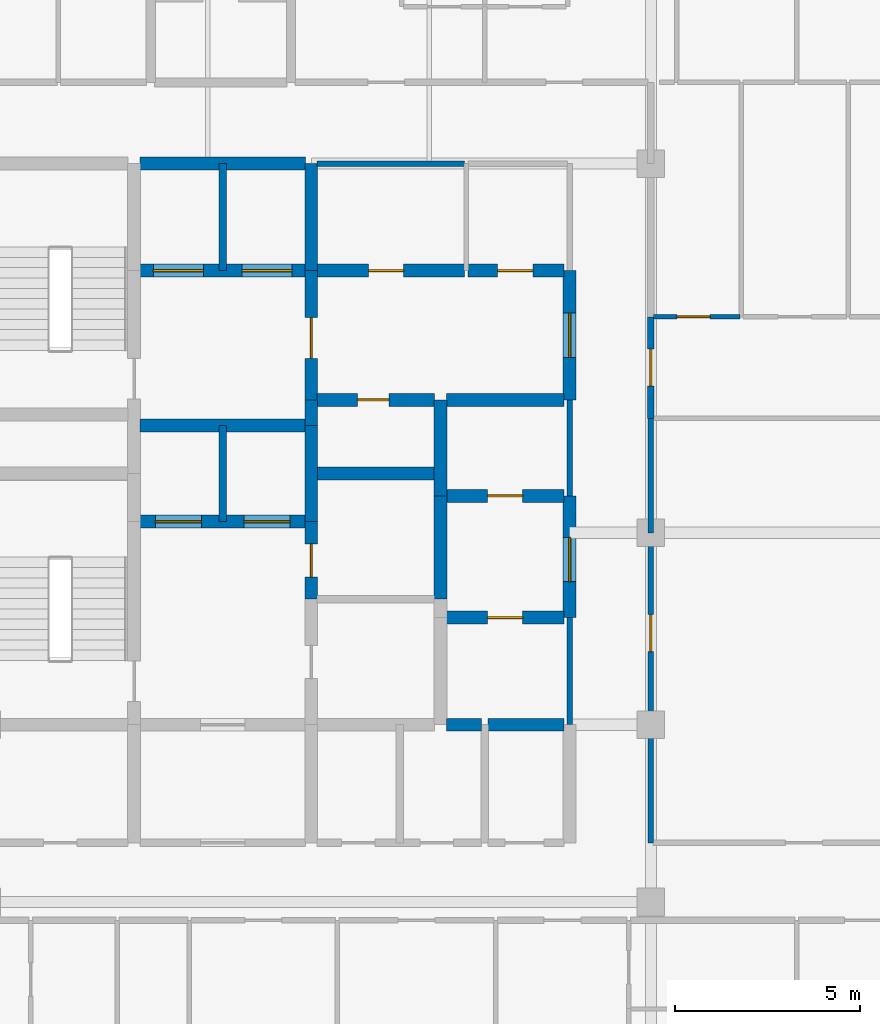
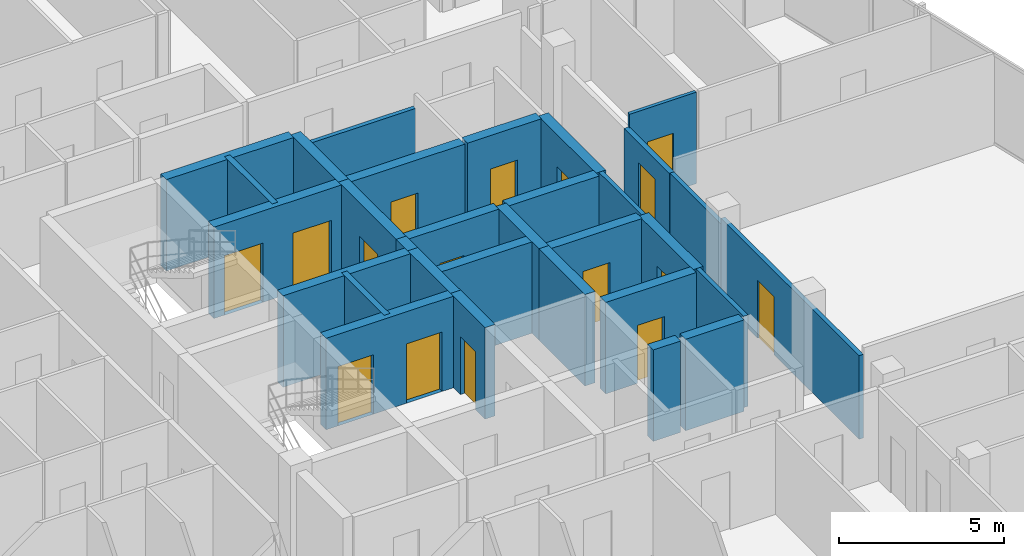
# One storey, part 24 of 27: 31 walls, 16 doors, 16 openings.
"""IFC4 building model written with IfcOpenShell, lengths in metres."""

from ifc_helpers import new_model, si_unit, direction, frame, frame_2d, origin, place, context, subcontext, project, spatial, rectangle, extrude, material, layer, layer_set, type_object, element, fill, save


model = new_model("IFC4")

# Units and contexts
model_context = context("Model", 3, precision=1e-05, world=origin(), true_north=direction((0.0, 1.0)))
body_context = subcontext(model_context, "Body", "Model", "MODEL_VIEW")
ifc_project = project(units=[si_unit("LENGTHUNIT", "METRE"), si_unit("AREAUNIT", "SQUARE_METRE"), si_unit("VOLUMEUNIT", "CUBIC_METRE"), si_unit("PLANEANGLEUNIT", "RADIAN"), si_unit("MASSUNIT", "GRAM", prefix="KILO")], contexts=[model_context])

# Site, building, storey
site_placement = place(None, origin())
site = spatial("IfcSite", under=ifc_project, at=site_placement, CompositionType="ELEMENT")
building_placement = place(site_placement, origin())
building = spatial("IfcBuilding", under=site, at=building_placement, Name="Keshet Zoharim Tower", CompositionType="ELEMENT")
storey_placement = place(building_placement, frame((0.0, 0.0, 273.199951171875)))
storey = spatial("IfcBuildingStorey", under=building, at=storey_placement, Name="L68", CompositionType="ELEMENT", Elevation=273.199951171875)

# Walls
ifc_material_1 = material(Name="Gypsum Plasterboard", Category="gypsum")
ifc_layer_1 = layer(ifc_material_1, 0.14990234375)
ifc_layer_set_1 = layer_set([ifc_layer_1], Name="Gypsum Plasterboard")
wall_type_1 = type_object("IfcWallType", Name="WL-CLIN-150", PredefinedType="STANDARD", material=ifc_layer_set_1)
wall_1_placement = place(storey_placement, frame((30.800048828125, 22.699951171875, 0.0), z_axis=(0.0, 0.0, 1.0), x_axis=(0.0, 1.0, 0.0)))
element("IfcWall", 1, at=wall_1_placement, inside=storey, type_object=wall_type_1, Name="L68 Interior Wall 060", PredefinedType="STANDARD", context=body_context, shape_type="SweptSolid", body=[
    extrude(rectangle(XDim=2.900146484375, YDim=0.14990234375, at=frame_2d((1.4501953125, 0.0))), origin(), (0.0, 0.0, 1.0), 3.39013671875),
])
wall_2_placement = place(storey_placement, frame((30.800048828125, 28.89990234375, 0.0), z_axis=(0.0, 0.0, 1.0), x_axis=(0.0, 1.0, 0.0)))
element("IfcWall", 2, at=wall_2_placement, inside=storey, type_object=wall_type_1, Name="L68 Interior Wall 062", PredefinedType="STANDARD", context=body_context, shape_type="SweptSolid", body=[
    extrude(rectangle(XDim=2.60009765625, YDim=0.14990234375, at=frame_2d((1.300048828125, 0.0))), origin(), (0.0, 0.0, 1.0), 3.39013671875),
])

# Wall, opening, door
wall_3_placement = place(storey_placement, frame((33.0, 19.5, 0.0), z_axis=(0.0, 0.0, 1.0), x_axis=(0.0, 1.0, 0.0)))
wall_3 = element("IfcWall", 3, at=wall_3_placement, inside=storey, type_object=wall_type_1, Name="L68 Interior Wall 068", PredefinedType="STANDARD", context=body_context, shape_type="SweptSolid", body=[
    extrude(rectangle(XDim=8.39990234375, YDim=0.14990234375, at=frame_2d((4.199951171875, 0.0))), origin(), (0.0, 0.0, 1.0), 3.10009765625),
])
opening_1_placement = place(wall_3_placement, frame((5.179931640625, 0.0, 0.0)))
opening_1 = element("IfcOpeningElement", 4, at=opening_1_placement, cuts=wall_3, Name="Opening D-F310", PredefinedType="OPENING", context=body_context, shape_type="SweptSolid", body=[
    extrude(rectangle(XDim=1.0, YDim=2.14990234375, at=frame_2d((0.5, 1.074951171875))), frame((0.0, 0.0849609375, 0.0), z_axis=(0.0, -1.0, 0.0), x_axis=(1.0, 0.0, 0.0)), (0.0, 0.0, 1.0), 0.169921875),
])
ifc_material_2 = material(Name="Hardwood Timber", Category="wood")
door_type_1 = type_object("IfcDoorType", Name="DR-FD30-100", OperationType="NOTDEFINED", PredefinedType="DOOR", material=ifc_material_2)
door_1_placement = place(opening_1_placement, origin())
door_1 = element("IfcDoor", 5, at=door_1_placement, inside=storey, type_object=door_type_1, Name="L68 South West Residents Services Suite Door 1", OperationType="SINGLE_SWING_RIGHT", OverallHeight=2.14990234375, OverallWidth=1.0, PredefinedType="DOOR", context=body_context, shape_type="SweptSolid", body=[
    extrude(rectangle(XDim=1.0, YDim=2.14990234375, at=frame_2d((0.5, 1.074951171875))), frame((0.0, 0.02490234375, 0.0), z_axis=(0.0, -1.0, 0.0), x_axis=(1.0, 0.0, 0.0)), (0.0, 0.0, 1.0), 0.050048828125),
])
fill(opening_1, door_1)

# Walls
wall_4_placement = place(storey_placement, frame((23.9599609375, 37.89990234375, 0.0), z_axis=(0.0, 0.0, 1.0), x_axis=(1.0, 0.0, 0.0)))
element("IfcWall", 6, at=wall_4_placement, inside=storey, type_object=wall_type_1, Name="L68 Interior Wall 146", PredefinedType="STANDARD", context=body_context, shape_type="SweptSolid", body=[
    extrude(rectangle(XDim=3.9951171875, YDim=0.14990234375, at=frame_2d((1.99755859375, 0.0))), origin(), (0.0, 0.0, 1.0), 2.89013671875),
])
wall_5_placement = place(storey_placement, frame((33.0, 27.89990234375, 0.0), z_axis=(0.0, 0.0, 1.0), x_axis=(0.0, 1.0, 0.0)))
element("IfcWall", 7, at=wall_5_placement, inside=storey, type_object=wall_type_1, Name="L68 Interior Wall 068 Part 2", PredefinedType="STANDARD", context=body_context, shape_type="SweptSolid", body=[
    extrude(rectangle(XDim=3.10009765625, YDim=0.14990234375, at=frame_2d((1.550048828125, 0.0))), origin(), (0.0, 0.0, 1.0), 2.89013671875),
])

# Wall, opening, door
ifc_material_3 = material(Name="Concrete C60/75", Category="concrete")
ifc_layer_2 = layer(ifc_material_3, 0.35009765625)
ifc_layer_set_2 = layer_set([ifc_layer_2], Name="Concrete C60/75")
wall_type_2 = type_object("IfcWallType", Name="WL-CORE-350", PredefinedType="SHEAR", material=ifc_layer_set_2)
wall_6_placement = place(storey_placement, frame((23.800048828125, 26.10009765625, 0.0), z_axis=(0.0, 0.0, 1.0), x_axis=(0.0, 1.0, 0.0)))
wall_6 = element("IfcWall", 8, at=wall_6_placement, inside=storey, type_object=wall_type_2, Name="L68 Core Shear Wall 041", PredefinedType="SHEAR", context=body_context, shape_type="SweptSolid", body=[
    extrude(rectangle(XDim=2.099853515625, YDim=0.35009765625, at=frame_2d((1.0498046875, 0.0))), origin(), (0.0, 0.0, 1.0), 3.39013671875),
])
opening_2_placement = place(wall_6_placement, frame((0.60009765625, 0.0, 0.0)))
opening_2 = element("IfcOpeningElement", 9, at=opening_2_placement, cuts=wall_6, Name="Opening D-F690", PredefinedType="OPENING", context=body_context, shape_type="SweptSolid", body=[
    extrude(rectangle(XDim=0.89990234375, YDim=2.14990234375, at=frame_2d((0.449951171875, 1.074951171875))), frame((0.0, 0.18505859375, 0.0), z_axis=(0.0, -1.0, 0.0), x_axis=(1.0, 0.0, 0.0)), (0.0, 0.0, 1.0), 0.3701171875),
])
door_type_2 = type_object("IfcDoorType", Name="DR-FD60-090", OperationType="NOTDEFINED", PredefinedType="DOOR", material=ifc_material_2)
door_2_placement = place(opening_2_placement, origin())
door_2 = element("IfcDoor", 10, at=door_2_placement, inside=storey, type_object=door_type_2, Name="L68 Core Electrical Room Door", OperationType="SINGLE_SWING_LEFT", OverallHeight=2.14990234375, OverallWidth=0.89990234375, PredefinedType="DOOR", context=body_context, shape_type="SweptSolid", body=[
    extrude(rectangle(XDim=0.89990234375, YDim=2.14990234375, at=frame_2d((0.449951171875, 1.074951171875))), frame((0.0, 0.02490234375, 0.0), z_axis=(0.0, -1.0, 0.0), x_axis=(1.0, 0.0, 0.0)), (0.0, 0.0, 1.0), 0.050048828125),
])
fill(opening_2, door_2)

# Walls
wall_7_placement = place(storey_placement, frame((23.800048828125, 28.199951171875, 0.0), z_axis=(0.0, 0.0, 1.0), x_axis=(0.0, 1.0, 0.0)))
element("IfcWall", 11, at=wall_7_placement, inside=storey, type_object=wall_type_2, Name="L68 Core Shear Wall 042", PredefinedType="SHEAR", context=body_context, shape_type="SweptSolid", body=[
    extrude(rectangle(XDim=2.60009765625, YDim=0.35009765625, at=frame_2d((1.300048828125, 0.0))), origin(), (0.0, 0.0, 1.0), 3.39013671875),
])
wall_8_placement = place(storey_placement, frame((23.800048828125, 30.800048828125, 0.0), z_axis=(0.0, 0.0, 1.0), x_axis=(0.0, 1.0, 0.0)))
element("IfcWall", 12, at=wall_8_placement, inside=storey, type_object=wall_type_2, Name="L68 Core Shear Wall 043", PredefinedType="SHEAR", context=body_context, shape_type="SweptSolid", body=[
    extrude(rectangle(XDim=0.699951171875, YDim=0.35009765625, at=frame_2d((0.35009765625, 0.0))), origin(), (0.0, 0.0, 1.0), 3.39013671875),
])

# Wall, opening, door
wall_9_placement = place(storey_placement, frame((23.800048828125, 31.5, 0.0), z_axis=(0.0, 0.0, 1.0), x_axis=(0.0, 1.0, 0.0)))
wall_9 = element("IfcWall", 13, at=wall_9_placement, inside=storey, type_object=wall_type_2, Name="L68 Core Shear Wall 044", PredefinedType="SHEAR", context=body_context, shape_type="SweptSolid", body=[
    extrude(rectangle(XDim=3.5, YDim=0.35009765625, at=frame_2d((1.75, 0.0))), origin(), (0.0, 0.0, 1.0), 3.39013671875),
])
opening_3_placement = place(wall_9_placement, frame((1.126953125, 0.0, 0.0)))
opening_3 = element("IfcOpeningElement", 14, at=opening_3_placement, cuts=wall_9, Name="Opening D-F611", PredefinedType="OPENING", context=body_context, shape_type="SweptSolid", body=[
    extrude(rectangle(XDim=1.10009765625, YDim=2.14990234375, at=frame_2d((0.550048828125, 1.074951171875))), frame((0.0, 0.18505859375, 0.0), z_axis=(0.0, -1.0, 0.0), x_axis=(1.0, 0.0, 0.0)), (0.0, 0.0, 1.0), 0.3701171875),
])
door_type_3 = type_object("IfcDoorType", Name="DR-FD60-110", OperationType="NOTDEFINED", PredefinedType="DOOR", material=ifc_material_2)
door_3_placement = place(opening_3_placement, origin())
door_3 = element("IfcDoor", 15, at=door_3_placement, inside=storey, type_object=door_type_3, Name="L68 Firefighting Lobby Fire Door", OperationType="SINGLE_SWING_RIGHT", OverallHeight=2.14990234375, OverallWidth=1.10009765625, PredefinedType="DOOR", context=body_context, shape_type="SweptSolid", body=[
    extrude(rectangle(XDim=1.10009765625, YDim=2.14990234375, at=frame_2d((0.550048828125, 1.074951171875))), frame((0.0, 0.02490234375, 0.0), z_axis=(0.0, -1.0, 0.0), x_axis=(1.0, 0.0, 0.0)), (0.0, 0.0, 1.0), 0.050048828125),
])
fill(opening_3, door_3)

# Walls
wall_10_placement = place(storey_placement, frame((23.800048828125, 35.0, 0.0), z_axis=(0.0, 0.0, 1.0), x_axis=(0.0, 1.0, 0.0)))
element("IfcWall", 16, at=wall_10_placement, inside=storey, type_object=wall_type_2, Name="L68 Core Shear Wall 045", PredefinedType="SHEAR", context=body_context, shape_type="SweptSolid", body=[
    extrude(rectangle(XDim=2.89990234375, YDim=0.35009765625, at=frame_2d((1.449951171875, 0.0))), origin(), (0.0, 0.0, 1.0), 3.39013671875),
])
wall_11_placement = place(storey_placement, frame((27.300048828125, 26.10009765625, 0.0), z_axis=(0.0, 0.0, 1.0), x_axis=(0.0, 1.0, 0.0)))
element("IfcWall", 17, at=wall_11_placement, inside=storey, type_object=wall_type_2, Name="L68 Core Shear Wall 051", PredefinedType="SHEAR", context=body_context, shape_type="SweptSolid", body=[
    extrude(rectangle(XDim=2.7998046875, YDim=0.35009765625, at=frame_2d((1.39990234375, 0.0))), origin(), (0.0, 0.0, 1.0), 3.39013671875),
])
wall_12_placement = place(storey_placement, frame((27.300048828125, 28.89990234375, 0.0), z_axis=(0.0, 0.0, 1.0), x_axis=(0.0, 1.0, 0.0)))
element("IfcWall", 18, at=wall_12_placement, inside=storey, type_object=wall_type_2, Name="L68 Core Shear Wall 052", PredefinedType="SHEAR", context=body_context, shape_type="SweptSolid", body=[
    extrude(rectangle(XDim=2.60009765625, YDim=0.35009765625, at=frame_2d((1.300048828125, 0.0))), origin(), (0.0, 0.0, 1.0), 3.39013671875),
])

# Wall, opening, door
wall_13_placement = place(storey_placement, frame((30.800048828125, 25.60009765625, 0.0), z_axis=(0.0, 0.0, 1.0), x_axis=(0.0, 1.0, 0.0)))
wall_13 = element("IfcWall", 19, at=wall_13_placement, inside=storey, type_object=wall_type_2, Name="L68 Core Shear Wall 061", PredefinedType="SHEAR", context=body_context, shape_type="SweptSolid", body=[
    extrude(rectangle(XDim=3.2998046875, YDim=0.35009765625, at=frame_2d((1.64990234375, 0.0))), origin(), (0.0, 0.0, 1.0), 3.39013671875),
])
opening_4_placement = place(wall_13_placement, frame((0.97802734375, 0.0, 0.0)))
opening_4 = element("IfcOpeningElement", 20, at=opening_4_placement, cuts=wall_13, Name="Opening D-F612", PredefinedType="OPENING", context=body_context, shape_type="SweptSolid", body=[
    extrude(rectangle(XDim=1.199951171875, YDim=2.199951171875, at=frame_2d((0.60009765625, 1.10009765625))), frame((0.0, 0.18505859375, 0.0), z_axis=(0.0, -1.0, 0.0), x_axis=(1.0, 0.0, 0.0)), (0.0, 0.0, 1.0), 0.3701171875),
])
door_type_4 = type_object("IfcDoorType", Name="DR-FD60-120", OperationType="NOTDEFINED", PredefinedType="DOOR", material=ifc_material_2)
door_4_placement = place(opening_4_placement, origin())
door_4 = element("IfcDoor", 21, at=door_4_placement, inside=storey, type_object=door_type_4, Name="L68 East Lift Lobby Fire Door", OperationType="SINGLE_SWING_LEFT", OverallHeight=2.199951171875, OverallWidth=1.199951171875, PredefinedType="DOOR", context=body_context, shape_type="SweptSolid", body=[
    extrude(rectangle(XDim=1.199951171875, YDim=2.199951171875, at=frame_2d((0.60009765625, 1.10009765625))), frame((0.0, 0.02490234375, 0.0), z_axis=(0.0, -1.0, 0.0), x_axis=(1.0, 0.0, 0.0)), (0.0, 0.0, 1.0), 0.050048828125),
])
fill(opening_4, door_4)

wall_14_placement = place(storey_placement, frame((30.800048828125, 31.5, 0.0), z_axis=(0.0, 0.0, 1.0), x_axis=(0.0, 1.0, 0.0)))
wall_14 = element("IfcWall", 22, at=wall_14_placement, inside=storey, type_object=wall_type_2, Name="L68 Core Shear Wall 063", PredefinedType="SHEAR", context=body_context, shape_type="SweptSolid", body=[
    extrude(rectangle(XDim=3.5, YDim=0.35009765625, at=frame_2d((1.75, 0.0))), origin(), (0.0, 0.0, 1.0), 3.39013671875),
])
opening_5_placement = place(wall_14_placement, frame((1.14990234375, 0.0, 0.0)))
opening_5 = element("IfcOpeningElement", 23, at=opening_5_placement, cuts=wall_14, Name="Opening D-F612", PredefinedType="OPENING", context=body_context, shape_type="SweptSolid", body=[
    extrude(rectangle(XDim=1.199951171875, YDim=2.199951171875, at=frame_2d((0.60009765625, 1.10009765625))), frame((0.0, 0.18505859375, 0.0), z_axis=(0.0, -1.0, 0.0), x_axis=(1.0, 0.0, 0.0)), (0.0, 0.0, 1.0), 0.3701171875),
])
door_5_placement = place(opening_5_placement, origin())
door_5 = element("IfcDoor", 24, at=door_5_placement, inside=storey, type_object=door_type_4, Name="L68 North Lift Lobby East Fire Door", OperationType="SINGLE_SWING_RIGHT", OverallHeight=2.199951171875, OverallWidth=1.199951171875, PredefinedType="DOOR", context=body_context, shape_type="SweptSolid", body=[
    extrude(rectangle(XDim=1.199951171875, YDim=2.199951171875, at=frame_2d((0.60009765625, 1.10009765625))), frame((0.0, 0.02490234375, 0.0), z_axis=(0.0, -1.0, 0.0), x_axis=(1.0, 0.0, 0.0)), (0.0, 0.0, 1.0), 0.050048828125),
])
fill(opening_5, door_5)

# Walls
wall_15_placement = place(storey_placement, frame((27.4599609375, 22.699951171875, 0.0), z_axis=(0.0, 0.0, 1.0), x_axis=(1.0, 0.0, 0.0)))
element("IfcWall", 25, at=wall_15_placement, inside=storey, type_object=wall_type_2, Name="L68 Core Shear Wall 114", PredefinedType="SHEAR", context=body_context, shape_type="SweptSolid", body=[
    extrude(rectangle(XDim=0.955078125, YDim=0.35009765625, at=frame_2d((0.4775390625, 0.0))), origin(), (0.0, 0.0, 1.0), 3.39013671875),
])
wall_16_placement = place(storey_placement, frame((28.5849609375, 22.699951171875, 0.0), z_axis=(0.0, 0.0, 1.0), x_axis=(1.0, 0.0, 0.0)))
element("IfcWall", 26, at=wall_16_placement, inside=storey, type_object=wall_type_2, Name="L68 Core Shear Wall 115", PredefinedType="SHEAR", context=body_context, shape_type="SweptSolid", body=[
    extrude(rectangle(XDim=2.054931640625, YDim=0.35009765625, at=frame_2d((1.02734375, 0.0))), origin(), (0.0, 0.0, 1.0), 3.39013671875),
])

# Wall, opening, door
wall_17_placement = place(storey_placement, frame((27.4599609375, 25.60009765625, 0.0), z_axis=(0.0, 0.0, 1.0), x_axis=(1.0, 0.0, 0.0)))
wall_17 = element("IfcWall", 27, at=wall_17_placement, inside=storey, type_object=wall_type_2, Name="L68 Core Shear Wall 119", PredefinedType="SHEAR", context=body_context, shape_type="SweptSolid", body=[
    extrude(rectangle(XDim=3.179931640625, YDim=0.35009765625, at=frame_2d((1.58984375, 0.0))), origin(), (0.0, 0.0, 1.0), 3.39013671875),
])
opening_6_placement = place(wall_17_placement, frame((1.114990234375, 0.0, 0.0)))
opening_6 = element("IfcOpeningElement", 28, at=opening_6_placement, cuts=wall_17, Name="Opening D-F695", PredefinedType="OPENING", context=body_context, shape_type="SweptSolid", body=[
    extrude(rectangle(XDim=0.949951171875, YDim=2.14990234375, at=frame_2d((0.47509765625, 1.074951171875))), frame((0.0, 0.18505859375, 0.0), z_axis=(0.0, -1.0, 0.0), x_axis=(1.0, 0.0, 0.0)), (0.0, 0.0, 1.0), 0.3701171875),
])
door_type_5 = type_object("IfcDoorType", Name="DR-FD60-095", OperationType="NOTDEFINED", PredefinedType="DOOR", material=ifc_material_2)
door_6_placement = place(opening_6_placement, origin())
door_6 = element("IfcDoor", 29, at=door_6_placement, inside=storey, type_object=door_type_5, Name="L68 Study Alcove Door", OperationType="SINGLE_SWING_RIGHT", OverallHeight=2.14990234375, OverallWidth=0.949951171875, PredefinedType="DOOR", context=body_context, shape_type="SweptSolid", body=[
    extrude(rectangle(XDim=0.949951171875, YDim=2.14990234375, at=frame_2d((0.47509765625, 1.074951171875))), frame((0.0, 0.02490234375, 0.0), z_axis=(0.0, -1.0, 0.0), x_axis=(1.0, 0.0, 0.0)), (0.0, 0.0, 1.0), 0.050048828125),
])
fill(opening_6, door_6)

# Wall, openings, doors
wall_18_placement = place(storey_placement, frame((19.159912109375, 28.199951171875, 0.0), z_axis=(0.0, 0.0, 1.0), x_axis=(1.0, 0.0, 0.0)))
wall_18 = element("IfcWall", 30, at=wall_18_placement, inside=storey, type_object=wall_type_2, Name="L68 Core Shear Wall 124", PredefinedType="SHEAR", context=body_context, shape_type="SweptSolid", body=[
    extrude(rectangle(XDim=4.47998046875, YDim=0.35009765625, at=frame_2d((2.239990234375, 0.0))), origin(), (0.0, 0.0, 1.0), 3.39013671875),
])
opening_7_placement = place(wall_18_placement, frame((0.4150390625, 0.0, 0.0)))
opening_7 = element("IfcOpeningElement", 31, at=opening_7_placement, cuts=wall_18, Name="Opening LD-01", PredefinedType="OPENING", context=body_context, shape_type="SweptSolid", body=[
    extrude(rectangle(XDim=1.25, YDim=2.199951171875, at=frame_2d((0.625, 1.10009765625))), frame((0.0, 0.18505859375, 0.0), z_axis=(0.0, -1.0, 0.0), x_axis=(1.0, 0.0, 0.0)), (0.0, 0.0, 1.0), 0.3701171875),
])
opening_8_placement = place(wall_18_placement, frame((2.81494140625, 0.0, 0.0)))
opening_8 = element("IfcOpeningElement", 32, at=opening_8_placement, cuts=wall_18, Name="Opening LD-01", PredefinedType="OPENING", context=body_context, shape_type="SweptSolid", body=[
    extrude(rectangle(XDim=1.25, YDim=2.199951171875, at=frame_2d((0.625, 1.10009765625))), frame((0.0, 0.18505859375, 0.0), z_axis=(0.0, -1.0, 0.0), x_axis=(1.0, 0.0, 0.0)), (0.0, 0.0, 1.0), 0.3701171875),
])
ifc_material_4 = material(Name="Steel S355", Category="steel")
door_type_6 = type_object("IfcDoorType", Name="DR-LD01-125", OperationType="DOUBLE_DOOR_SLIDING", PredefinedType="DOOR", material=ifc_material_4)
door_7_placement = place(opening_7_placement, origin())
door_7 = element("IfcDoor", 33, at=door_7_placement, inside=storey, type_object=door_type_6, Name="L68 Passenger Lift Landing Door LF-09", OperationType="DOUBLE_DOOR_SLIDING", OverallHeight=2.199951171875, OverallWidth=1.25, PredefinedType="DOOR", context=body_context, shape_type="SweptSolid", body=[
    extrude(rectangle(XDim=1.25, YDim=2.199951171875, at=frame_2d((0.625, 1.10009765625))), frame((0.0, 0.02490234375, 0.0), z_axis=(0.0, -1.0, 0.0), x_axis=(1.0, 0.0, 0.0)), (0.0, 0.0, 1.0), 0.050048828125),
])
fill(opening_7, door_7)
door_8_placement = place(opening_8_placement, origin())
door_8 = element("IfcDoor", 34, at=door_8_placement, inside=storey, type_object=door_type_6, Name="L68 Passenger Lift Landing Door LF-10", OperationType="DOUBLE_DOOR_SLIDING", OverallHeight=2.199951171875, OverallWidth=1.25, PredefinedType="DOOR", context=body_context, shape_type="SweptSolid", body=[
    extrude(rectangle(XDim=1.25, YDim=2.199951171875, at=frame_2d((0.625, 1.10009765625))), frame((0.0, 0.02490234375, 0.0), z_axis=(0.0, -1.0, 0.0), x_axis=(1.0, 0.0, 0.0)), (0.0, 0.0, 1.0), 0.050048828125),
])
fill(opening_8, door_8)

# Wall, opening, door
wall_19_placement = place(storey_placement, frame((27.4599609375, 28.89990234375, 0.0), z_axis=(0.0, 0.0, 1.0), x_axis=(1.0, 0.0, 0.0)))
wall_19 = element("IfcWall", 35, at=wall_19_placement, inside=storey, type_object=wall_type_2, Name="L68 Core Shear Wall 125", PredefinedType="SHEAR", context=body_context, shape_type="SweptSolid", body=[
    extrude(rectangle(XDim=3.179931640625, YDim=0.35009765625, at=frame_2d((1.58984375, 0.0))), origin(), (0.0, 0.0, 1.0), 3.39013671875),
])
opening_9_placement = place(wall_19_placement, frame((1.114990234375, 0.0, 0.0)))
opening_9 = element("IfcOpeningElement", 36, at=opening_9_placement, cuts=wall_19, Name="Opening D-F695", PredefinedType="OPENING", context=body_context, shape_type="SweptSolid", body=[
    extrude(rectangle(XDim=0.949951171875, YDim=2.14990234375, at=frame_2d((0.47509765625, 1.074951171875))), frame((0.0, 0.18505859375, 0.0), z_axis=(0.0, -1.0, 0.0), x_axis=(1.0, 0.0, 0.0)), (0.0, 0.0, 1.0), 0.3701171875),
])
door_9_placement = place(opening_9_placement, frame((0.949951171875, 0.0, 0.0), z_axis=(0.0, 0.0, 1.0), x_axis=(-1.0, 0.0, 0.0)))
door_9 = element("IfcDoor", 37, at=door_9_placement, inside=storey, type_object=door_type_5, Name="L68 Parcel Store Door", OperationType="SINGLE_SWING_RIGHT", OverallHeight=2.14990234375, OverallWidth=0.949951171875, PredefinedType="DOOR", context=body_context, shape_type="SweptSolid", body=[
    extrude(rectangle(XDim=0.949951171875, YDim=2.14990234375, at=frame_2d((0.47509765625, 1.074951171875))), frame((0.0, 0.02490234375, 0.0), z_axis=(0.0, -1.0, 0.0), x_axis=(1.0, 0.0, 0.0)), (0.0, 0.0, 1.0), 0.050048828125),
])
fill(opening_9, door_9)

# Walls
wall_20_placement = place(storey_placement, frame((23.9599609375, 29.5, 0.0), z_axis=(0.0, 0.0, 1.0), x_axis=(1.0, 0.0, 0.0)))
element("IfcWall", 38, at=wall_20_placement, inside=storey, type_object=wall_type_2, Name="L68 Core Shear Wall 127", PredefinedType="SHEAR", context=body_context, shape_type="SweptSolid", body=[
    extrude(rectangle(XDim=3.179931640625, YDim=0.35009765625, at=frame_2d((1.58984375, 0.0))), origin(), (0.0, 0.0, 1.0), 3.39013671875),
])
wall_21_placement = place(storey_placement, frame((19.159912109375, 30.800048828125, 0.0), z_axis=(0.0, 0.0, 1.0), x_axis=(1.0, 0.0, 0.0)))
element("IfcWall", 39, at=wall_21_placement, inside=storey, type_object=wall_type_2, Name="L68 Core Shear Wall 131", PredefinedType="SHEAR", context=body_context, shape_type="SweptSolid", body=[
    extrude(rectangle(XDim=4.47998046875, YDim=0.35009765625, at=frame_2d((2.239990234375, 0.0))), origin(), (0.0, 0.0, 1.0), 3.39013671875),
])

# Wall, opening, door
wall_22_placement = place(storey_placement, frame((23.9599609375, 31.5, 0.0), z_axis=(0.0, 0.0, 1.0), x_axis=(1.0, 0.0, 0.0)))
wall_22 = element("IfcWall", 40, at=wall_22_placement, inside=storey, type_object=wall_type_2, Name="L68 Core Shear Wall 134", PredefinedType="SHEAR", context=body_context, shape_type="SweptSolid", body=[
    extrude(rectangle(XDim=3.179931640625, YDim=0.35009765625, at=frame_2d((1.58984375, 0.0))), origin(), (0.0, 0.0, 1.0), 3.39013671875),
])
opening_10_placement = place(wall_22_placement, frame((1.093994140625, 0.0, 0.0)))
opening_10 = element("IfcOpeningElement", 41, at=opening_10_placement, cuts=wall_22, Name="Opening D-RS85", PredefinedType="OPENING", context=body_context, shape_type="SweptSolid", body=[
    extrude(rectangle(XDim=0.85009765625, YDim=2.10009765625, at=frame_2d((0.425048828125, 1.050048828125))), frame((0.0, 0.18505859375, 0.0), z_axis=(0.0, -1.0, 0.0), x_axis=(1.0, 0.0, 0.0)), (0.0, 0.0, 1.0), 0.3701171875),
])
door_type_7 = type_object("IfcDoorType", Name="DR-RIS-085", OperationType="NOTDEFINED", PredefinedType="DOOR", material=ifc_material_2)
door_10_placement = place(opening_10_placement, origin())
door_10 = element("IfcDoor", 42, at=door_10_placement, inside=storey, type_object=door_type_7, Name="L68 Telecom Riser Access Cupboard Door", OperationType="SINGLE_SWING_LEFT", OverallHeight=2.10009765625, OverallWidth=0.85009765625, PredefinedType="DOOR", context=body_context, shape_type="SweptSolid", body=[
    extrude(rectangle(XDim=0.85009765625, YDim=2.10009765625, at=frame_2d((0.425048828125, 1.050048828125))), frame((0.0, 0.02490234375, 0.0), z_axis=(0.0, -1.0, 0.0), x_axis=(1.0, 0.0, 0.0)), (0.0, 0.0, 1.0), 0.050048828125),
])
fill(opening_10, door_10)

# Wall
wall_23_placement = place(storey_placement, frame((27.4599609375, 31.5, 0.0), z_axis=(0.0, 0.0, 1.0), x_axis=(1.0, 0.0, 0.0)))
element("IfcWall", 43, at=wall_23_placement, inside=storey, type_object=wall_type_2, Name="L68 Core Shear Wall 135", PredefinedType="SHEAR", context=body_context, shape_type="SweptSolid", body=[
    extrude(rectangle(XDim=3.179931640625, YDim=0.35009765625, at=frame_2d((1.58984375, 0.0))), origin(), (0.0, 0.0, 1.0), 3.39013671875),
])

# Wall, openings, doors
wall_24_placement = place(storey_placement, frame((19.159912109375, 35.0, 0.0), z_axis=(0.0, 0.0, 1.0), x_axis=(1.0, 0.0, 0.0)))
wall_24 = element("IfcWall", 44, at=wall_24_placement, inside=storey, type_object=wall_type_2, Name="L68 Core Shear Wall 141", PredefinedType="SHEAR", context=body_context, shape_type="SweptSolid", body=[
    extrude(rectangle(XDim=4.47998046875, YDim=0.35009765625, at=frame_2d((2.239990234375, 0.0))), origin(), (0.0, 0.0, 1.0), 3.39013671875),
])
opening_11_placement = place(wall_24_placement, frame((0.364990234375, 0.0, 0.0)))
opening_11 = element("IfcOpeningElement", 45, at=opening_11_placement, cuts=wall_24, Name="Opening LD-02", PredefinedType="OPENING", context=body_context, shape_type="SweptSolid", body=[
    extrude(rectangle(XDim=1.35009765625, YDim=2.199951171875, at=frame_2d((0.675048828125, 1.10009765625))), frame((0.0, 0.18505859375, 0.0), z_axis=(0.0, -1.0, 0.0), x_axis=(1.0, 0.0, 0.0)), (0.0, 0.0, 1.0), 0.3701171875),
])
opening_12_placement = place(wall_24_placement, frame((2.764892578125, 0.0, 0.0)))
opening_12 = element("IfcOpeningElement", 46, at=opening_12_placement, cuts=wall_24, Name="Opening LD-02", PredefinedType="OPENING", context=body_context, shape_type="SweptSolid", body=[
    extrude(rectangle(XDim=1.35009765625, YDim=2.199951171875, at=frame_2d((0.675048828125, 1.10009765625))), frame((0.0, 0.18505859375, 0.0), z_axis=(0.0, -1.0, 0.0), x_axis=(1.0, 0.0, 0.0)), (0.0, 0.0, 1.0), 0.3701171875),
])
door_type_8 = type_object("IfcDoorType", Name="DR-LD02-135", OperationType="DOUBLE_DOOR_SLIDING", PredefinedType="DOOR", material=ifc_material_4)
door_11_placement = place(opening_11_placement, origin())
door_11 = element("IfcDoor", 47, at=door_11_placement, inside=storey, type_object=door_type_8, Name="L68 Firefighting Lift Landing Door FF-01", OperationType="DOUBLE_DOOR_SLIDING", OverallHeight=2.199951171875, OverallWidth=1.35009765625, PredefinedType="DOOR", context=body_context, shape_type="SweptSolid", body=[
    extrude(rectangle(XDim=1.35009765625, YDim=2.199951171875, at=frame_2d((0.675048828125, 1.10009765625))), frame((0.0, 0.02490234375, 0.0), z_axis=(0.0, -1.0, 0.0), x_axis=(1.0, 0.0, 0.0)), (0.0, 0.0, 1.0), 0.050048828125),
])
fill(opening_11, door_11)
door_12_placement = place(opening_12_placement, origin())
door_12 = element("IfcDoor", 48, at=door_12_placement, inside=storey, type_object=door_type_8, Name="L68 Firefighting Lift Landing Door FF-02", OperationType="DOUBLE_DOOR_SLIDING", OverallHeight=2.199951171875, OverallWidth=1.35009765625, PredefinedType="DOOR", context=body_context, shape_type="SweptSolid", body=[
    extrude(rectangle(XDim=1.35009765625, YDim=2.199951171875, at=frame_2d((0.675048828125, 1.10009765625))), frame((0.0, 0.02490234375, 0.0), z_axis=(0.0, -1.0, 0.0), x_axis=(1.0, 0.0, 0.0)), (0.0, 0.0, 1.0), 0.050048828125),
])
fill(opening_12, door_12)

# Wall, opening, door
wall_25_placement = place(storey_placement, frame((23.9599609375, 35.0, 0.0), z_axis=(0.0, 0.0, 1.0), x_axis=(1.0, 0.0, 0.0)))
wall_25 = element("IfcWall", 49, at=wall_25_placement, inside=storey, type_object=wall_type_2, Name="L68 Core Shear Wall 142", PredefinedType="SHEAR", context=body_context, shape_type="SweptSolid", body=[
    extrude(rectangle(XDim=3.9951171875, YDim=0.35009765625, at=frame_2d((1.99755859375, 0.0))), origin(), (0.0, 0.0, 1.0), 3.39013671875),
])
opening_13_placement = place(wall_25_placement, frame((1.39306640625, 0.0, 0.0)))
opening_13 = element("IfcOpeningElement", 50, at=opening_13_placement, cuts=wall_25, Name="Opening D-F695", PredefinedType="OPENING", context=body_context, shape_type="SweptSolid", body=[
    extrude(rectangle(XDim=0.949951171875, YDim=2.14990234375, at=frame_2d((0.47509765625, 1.074951171875))), frame((0.0, 0.18505859375, 0.0), z_axis=(0.0, -1.0, 0.0), x_axis=(1.0, 0.0, 0.0)), (0.0, 0.0, 1.0), 0.3701171875),
])
door_13_placement = place(opening_13_placement, frame((0.949951171875, 0.0, 0.0), z_axis=(0.0, 0.0, 1.0), x_axis=(-1.0, 0.0, 0.0)))
door_13 = element("IfcDoor", 51, at=door_13_placement, inside=storey, type_object=door_type_5, Name="L68 Laundry Room Door", OperationType="SINGLE_SWING_LEFT", OverallHeight=2.14990234375, OverallWidth=0.949951171875, PredefinedType="DOOR", context=body_context, shape_type="SweptSolid", body=[
    extrude(rectangle(XDim=0.949951171875, YDim=2.14990234375, at=frame_2d((0.47509765625, 1.074951171875))), frame((0.0, 0.02490234375, 0.0), z_axis=(0.0, -1.0, 0.0), x_axis=(1.0, 0.0, 0.0)), (0.0, 0.0, 1.0), 0.050048828125),
])
fill(opening_13, door_13)

wall_26_placement = place(storey_placement, frame((28.044921875, 35.0, 0.0), z_axis=(0.0, 0.0, 1.0), x_axis=(1.0, 0.0, 0.0)))
wall_26 = element("IfcWall", 52, at=wall_26_placement, inside=storey, type_object=wall_type_2, Name="L68 Core Shear Wall 143", PredefinedType="SHEAR", context=body_context, shape_type="SweptSolid", body=[
    extrude(rectangle(XDim=2.594970703125, YDim=0.35009765625, at=frame_2d((1.29736328125, 0.0))), origin(), (0.0, 0.0, 1.0), 3.39013671875),
])
opening_14_placement = place(wall_26_placement, frame((0.805908203125, 0.0, 0.0)))
opening_14 = element("IfcOpeningElement", 53, at=opening_14_placement, cuts=wall_26, Name="Opening D-F695", PredefinedType="OPENING", context=body_context, shape_type="SweptSolid", body=[
    extrude(rectangle(XDim=0.949951171875, YDim=2.14990234375, at=frame_2d((0.47509765625, 1.074951171875))), frame((0.0, 0.18505859375, 0.0), z_axis=(0.0, -1.0, 0.0), x_axis=(1.0, 0.0, 0.0)), (0.0, 0.0, 1.0), 0.3701171875),
])
door_14_placement = place(opening_14_placement, frame((0.949951171875, 0.0, 0.0), z_axis=(0.0, 0.0, 1.0), x_axis=(-1.0, 0.0, 0.0)))
door_14 = element("IfcDoor", 54, at=door_14_placement, inside=storey, type_object=door_type_5, Name="L68 Quiet Study Room Door", OperationType="SINGLE_SWING_RIGHT", OverallHeight=2.14990234375, OverallWidth=0.949951171875, PredefinedType="DOOR", context=body_context, shape_type="SweptSolid", body=[
    extrude(rectangle(XDim=0.949951171875, YDim=2.14990234375, at=frame_2d((0.47509765625, 1.074951171875))), frame((0.0, 0.02490234375, 0.0), z_axis=(0.0, -1.0, 0.0), x_axis=(1.0, 0.0, 0.0)), (0.0, 0.0, 1.0), 0.050048828125),
])
fill(opening_14, door_14)

# Wall
wall_27_placement = place(storey_placement, frame((19.159912109375, 37.89990234375, 0.0), z_axis=(0.0, 0.0, 1.0), x_axis=(1.0, 0.0, 0.0)))
element("IfcWall", 55, at=wall_27_placement, inside=storey, type_object=wall_type_2, Name="L68 Core Shear Wall 145", PredefinedType="SHEAR", context=body_context, shape_type="SweptSolid", body=[
    extrude(rectangle(XDim=4.47998046875, YDim=0.35009765625, at=frame_2d((2.239990234375, 0.0))), origin(), (0.0, 0.0, 1.0), 3.39013671875),
])

# Wall, opening, door
ifc_layer_3 = layer(ifc_material_1, 0.179931640625)
ifc_layer_set_3 = layer_set([ifc_layer_3], Name="Gypsum Plasterboard")
wall_type_3 = type_object("IfcWallType", Name="WL-CORR-180", PredefinedType="STANDARD", material=ifc_layer_set_3)
wall_28_placement = place(storey_placement, frame((33.0, 31.0, 0.0), z_axis=(0.0, 0.0, 1.0), x_axis=(0.0, 1.0, 0.0)))
wall_28 = element("IfcWall", 56, at=wall_28_placement, inside=storey, type_object=wall_type_3, Name="L68 Interior Wall 069", PredefinedType="STANDARD", context=body_context, shape_type="SweptSolid", body=[
    extrude(rectangle(XDim=2.75, YDim=0.179931640625, at=frame_2d((1.375, 0.0))), origin(), (0.0, 0.0, 1.0), 2.89013671875),
])
opening_15_placement = place(wall_28_placement, frame((0.875, 0.0, 0.0)))
opening_15 = element("IfcOpeningElement", 57, at=opening_15_placement, cuts=wall_28, Name="Opening D-F310", PredefinedType="OPENING", context=body_context, shape_type="SweptSolid", body=[
    extrude(rectangle(XDim=1.0, YDim=2.14990234375, at=frame_2d((0.5, 1.074951171875))), frame((0.0, 0.10009765625, 0.0), z_axis=(0.0, -1.0, 0.0), x_axis=(1.0, 0.0, 0.0)), (0.0, 0.0, 1.0), 0.199951171875),
])
door_15_placement = place(opening_15_placement, origin())
door_15 = element("IfcDoor", 58, at=door_15_placement, inside=storey, type_object=door_type_1, Name="Apartment 6809 Entrance Door", OperationType="SINGLE_SWING_LEFT", OverallHeight=2.14990234375, OverallWidth=1.0, PredefinedType="DOOR", context=body_context, shape_type="SweptSolid", body=[
    extrude(rectangle(XDim=1.0, YDim=2.14990234375, at=frame_2d((0.5, 1.074951171875))), frame((0.0, 0.02490234375, 0.0), z_axis=(0.0, -1.0, 0.0), x_axis=(1.0, 0.0, 0.0)), (0.0, 0.0, 1.0), 0.050048828125),
])
fill(opening_15, door_15)

# Walls
ifc_material_5 = material(Name="Concrete C50/60", Category="concrete")
ifc_layer_4 = layer(ifc_material_5, 0.199951171875)
ifc_layer_set_4 = layer_set([ifc_layer_4], Name="Concrete C50/60")
wall_type_4 = type_object("IfcWallType", Name="WL-FIRE-200", PredefinedType="STANDARD", material=ifc_layer_set_4)
wall_29_placement = place(storey_placement, frame((21.39990234375, 28.199951171875, 0.0), z_axis=(0.0, 0.0, 1.0), x_axis=(0.0, 1.0, 0.0)))
element("IfcWall", 59, at=wall_29_placement, inside=storey, type_object=wall_type_4, Name="L68 Interior Wall 034", PredefinedType="STANDARD", context=body_context, shape_type="SweptSolid", body=[
    extrude(rectangle(XDim=2.60009765625, YDim=0.199951171875, at=frame_2d((1.300048828125, 0.0))), origin(), (0.0, 0.0, 1.0), 3.39013671875),
])
wall_30_placement = place(storey_placement, frame((21.39990234375, 35.0, 0.0), z_axis=(0.0, 0.0, 1.0), x_axis=(0.0, 1.0, 0.0)))
element("IfcWall", 60, at=wall_30_placement, inside=storey, type_object=wall_type_4, Name="L68 Interior Wall 035", PredefinedType="STANDARD", context=body_context, shape_type="SweptSolid", body=[
    extrude(rectangle(XDim=2.89990234375, YDim=0.199951171875, at=frame_2d((1.449951171875, 0.0))), origin(), (0.0, 0.0, 1.0), 3.39013671875),
])

# Wall, opening, door
ifc_layer_5 = layer(ifc_material_1, 0.1201171875)
ifc_layer_set_5 = layer_set([ifc_layer_5], Name="Gypsum Plasterboard")
wall_type_5 = type_object("IfcWallType", Name="WL-PART-120", PredefinedType="PARTITIONING", material=ifc_layer_set_5)
wall_31_placement = place(storey_placement, frame((33.074951171875, 33.75, 0.0), z_axis=(0.0, 0.0, 1.0), x_axis=(1.0, 0.0, 0.0)))
wall_31 = element("IfcWall", 61, at=wall_31_placement, inside=storey, type_object=wall_type_5, Name="L68 Interior Wall 138", PredefinedType="PARTITIONING", context=body_context, shape_type="SweptSolid", body=[
    extrude(rectangle(XDim=2.3349609375, YDim=0.1201171875, at=frame_2d((1.16748046875, 0.0))), origin(), (0.0, 0.0, 1.0), 3.39013671875),
])
opening_16_placement = place(wall_31_placement, frame((0.6279296875, 0.0, 0.0)))
opening_16 = element("IfcOpeningElement", 62, at=opening_16_placement, cuts=wall_31, Name="Opening D-IN90", PredefinedType="OPENING", context=body_context, shape_type="SweptSolid", body=[
    extrude(rectangle(XDim=0.89990234375, YDim=2.14990234375, at=frame_2d((0.449951171875, 1.074951171875))), frame((0.0, 0.070068359375, 0.0), z_axis=(0.0, -1.0, 0.0), x_axis=(1.0, 0.0, 0.0)), (0.0, 0.0, 1.0), 0.14013671875),
])
door_type_9 = type_object("IfcDoorType", Name="DR-INT-090", OperationType="NOTDEFINED", PredefinedType="DOOR", material=ifc_material_2)
door_16_placement = place(opening_16_placement, origin())
door_16 = element("IfcDoor", 63, at=door_16_placement, inside=storey, type_object=door_type_9, Name="Apartment 6809 Kitchen Door", OperationType="SINGLE_SWING_RIGHT", OverallHeight=2.14990234375, OverallWidth=0.89990234375, PredefinedType="DOOR", context=body_context, shape_type="SweptSolid", body=[
    extrude(rectangle(XDim=0.89990234375, YDim=2.14990234375, at=frame_2d((0.449951171875, 1.074951171875))), frame((0.0, 0.02490234375, 0.0), z_axis=(0.0, -1.0, 0.0), x_axis=(1.0, 0.0, 0.0)), (0.0, 0.0, 1.0), 0.050048828125),
])
fill(opening_16, door_16)

save(model, "model.ifc")
